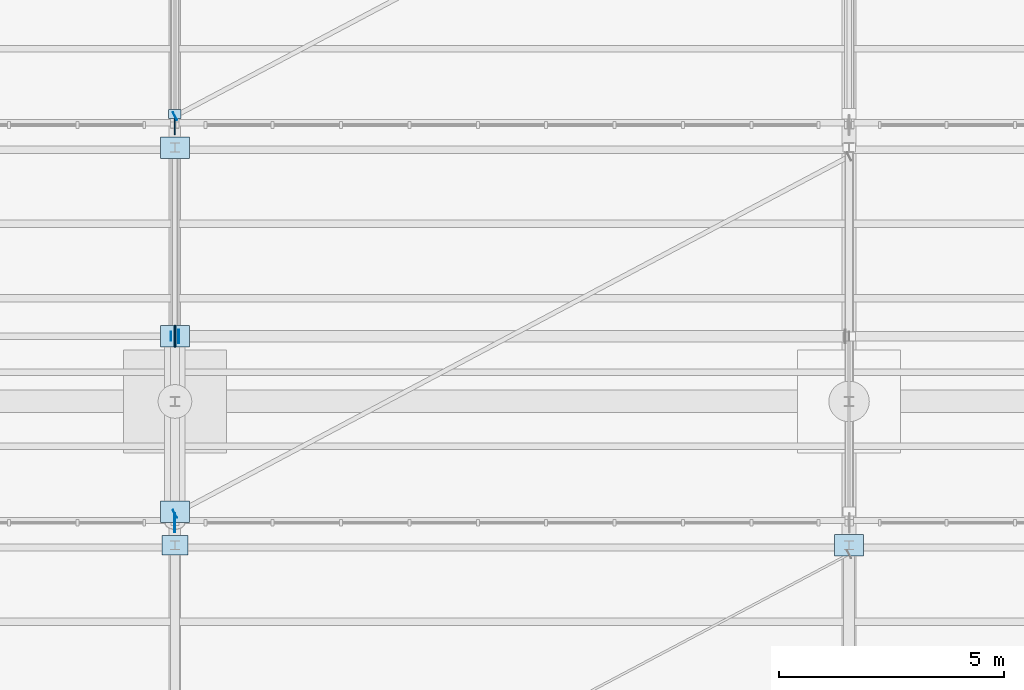
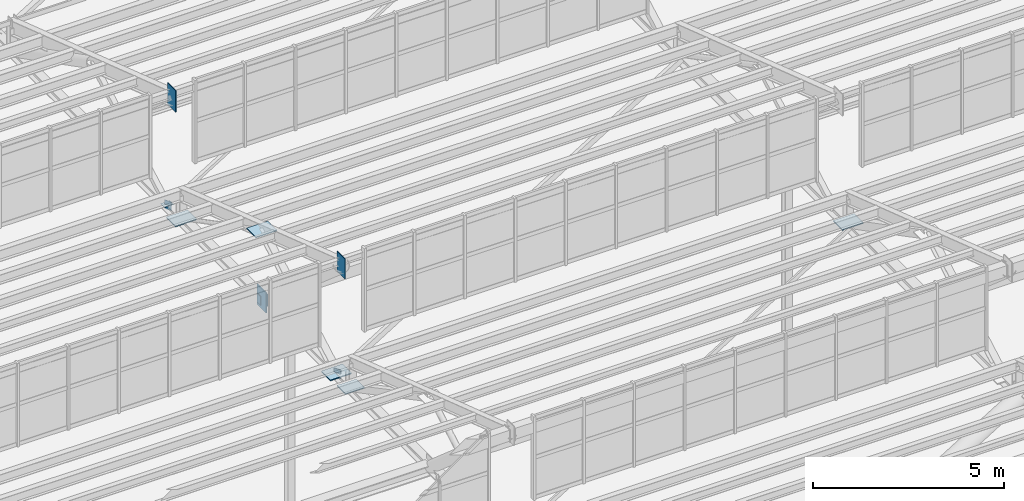
# One storey, part 200 of 285: 13 plates.
"""IFC4 building model written with IfcOpenShell, lengths in metres."""

from ifc_helpers import new_model, si_unit, direction, frame, origin, origin_2d, place, context, subcontext, project, spatial, rectangle, extrude, material, layer, layer_set, type_object, element, save


model = new_model("IFC4")

# Units and contexts
model_context = context("Model", 3, precision=1e-05, world=origin(), true_north=direction((0.0, 1.0)))
body_context = subcontext(model_context, "Body", "Model", "MODEL_VIEW")
ifc_project = project(units=[si_unit("LENGTHUNIT", "METRE"), si_unit("AREAUNIT", "SQUARE_METRE"), si_unit("VOLUMEUNIT", "CUBIC_METRE"), si_unit("PLANEANGLEUNIT", "RADIAN"), si_unit("MASSUNIT", "GRAM", prefix="KILO")], contexts=[model_context])

# Site, building, storey
site_placement = place(None, origin())
site = spatial("IfcSite", under=ifc_project, at=site_placement, CompositionType="ELEMENT")
building_placement = place(site_placement, origin())
building = spatial("IfcBuilding", under=site, at=building_placement, Name="Solanera Park Tramway Depot", CompositionType="ELEMENT")
storey_placement = place(building_placement, origin())
storey = spatial("IfcBuildingStorey", under=building, at=storey_placement, Name="L00", CompositionType="ELEMENT", Elevation=0.0)

# Plates
ifc_material_1 = material(Name="Steel AS/NZS 3679.1 Grade 350", Category="steel")
ifc_layer_1 = layer(ifc_material_1, 0.013916015625)
ifc_layer_set_1 = layer_set([ifc_layer_1], Name="Steel AS/NZS 3679.1 Grade 350")
plate_type_1 = type_object("IfcPlateType", Name="Hollow End Cap and Base Plate 280x200x14", PredefinedType="USERDEFINED", material=ifc_layer_set_1)
for number, where, z_axis, x_axis, name in (
    (1, (44.9150390625, 86.449951171875, 6.35986328125), (0.0, 0.0, 1.0), (1.0, 0.0, 0.0), "Hollow Section Welded End Cap Plate #0413"),
    (2, (44.999267578125, 82.49853515625, 6.35986328125), (0.0, 0.0, 1.0), (0.883520501477, 0.468392488698, 0.0), "Hollow Section Welded End Cap Plate #0416"),
):
    element("IfcPlate", number, at=place(storey_placement, frame(where, z_axis=z_axis, x_axis=x_axis)), inside=storey, type_object=plate_type_1, Name=name, ObjectType="BASE PLATE", PredefinedType="USERDEFINED", context=body_context, shape_type="SweptSolid", body=[
        extrude(rectangle(XDim=0.013916015625, YDim=0.199951171875, at=origin_2d()), origin(), (0.0, 0.0, 1.0), 0.280029296875),
    ])
plate_1_placement = place(storey_placement, frame((45.0, 91.39990234375, 6.4931640625), z_axis=(0.0, 0.0, 1.0), x_axis=(1.0, 0.0, 0.0)))
element("IfcPlate", 3, at=plate_1_placement, inside=storey, type_object=plate_type_1, Name="Sawtooth Truss Node Cap Plate #0445", ObjectType="BASE PLATE", PredefinedType="USERDEFINED", context=body_context, shape_type="SweptSolid", body=[
    extrude(rectangle(XDim=0.280029296875, YDim=0.199951171875, at=origin_2d()), origin(), (0.0, 0.0, 1.0), 0.013916015625),
])
plate_2_placement = place(storey_placement, frame((44.999267578125, 91.3486328125, 6.35986328125), z_axis=(0.0, 0.0, 1.0), x_axis=(0.883520501477, 0.468392488698, 0.0)))
element("IfcPlate", 4, at=plate_2_placement, inside=storey, type_object=plate_type_1, Name="Hollow Section Welded End Cap Plate #0507", ObjectType="BASE PLATE", PredefinedType="USERDEFINED", context=body_context, shape_type="SweptSolid", body=[
    extrude(rectangle(XDim=0.013916015625, YDim=0.199951171875, at=origin_2d()), origin(), (0.0, 0.0, 1.0), 0.280029296875),
])
ifc_material_2 = material(Name="Steel AS/NZS 3679.1 Grade 350", Category="steel")
ifc_layer_2 = layer(ifc_material_2, 0.02001953125)
ifc_layer_set_2 = layer_set([ifc_layer_2], Name="Steel AS/NZS 3679.1 Grade 350")
plate_type_2 = type_object("IfcPlateType", Name="Hollow End Cap and Base Plate 400x300x20", PredefinedType="USERDEFINED", material=ifc_layer_set_2)
plate_3_placement = place(storey_placement, frame((45.08203125, 86.449951171875, 6.300048828125), z_axis=(0.0, 0.0, 1.0), x_axis=(1.0, 0.0, 0.0)))
element("IfcPlate", 5, at=plate_3_placement, inside=storey, type_object=plate_type_2, Name="Hollow Section Welded End Cap Plate #0414", ObjectType="BASE PLATE", PredefinedType="USERDEFINED", context=body_context, shape_type="SweptSolid", body=[
    extrude(rectangle(XDim=0.02001953125, YDim=0.300048828125, at=origin_2d()), origin(), (0.0, 0.0, 1.0), 0.39990234375),
])
ifc_material_3 = material(Name="Steel AS/NZS 3679.1 Grade 350", Category="steel")
ifc_layer_3 = layer(ifc_material_3, 0.028076171875)
ifc_layer_set_3 = layer_set([ifc_layer_3], Name="Steel AS/NZS 3679.1 Grade 350")
plate_type_3 = type_object("IfcPlateType", Name="Hollow End Cap and Base Plate 580x440x28", PredefinedType="USERDEFINED", material=ifc_layer_set_3)
plate_4_placement = place(storey_placement, frame((45.0, 81.800048828125, 6.48583984375), z_axis=(0.0, 0.0, 1.0), x_axis=(1.0, 0.0, 0.0)))
element("IfcPlate", 6, at=plate_4_placement, inside=storey, type_object=plate_type_3, Name="Sawtooth Truss Node Cap Plate #0283", ObjectType="BASE PLATE", PredefinedType="USERDEFINED", context=body_context, shape_type="SweptSolid", body=[
    extrude(rectangle(XDim=0.580078125, YDim=0.43994140625, at=origin_2d()), origin(), (0.0, 0.0, 1.0), 0.028076171875),
])
ifc_material_4 = material(Name="Steel AS/NZS 3679.1 Grade 350", Category="steel")
ifc_layer_4 = layer(ifc_material_4, 0.031982421875)
ifc_layer_set_4 = layer_set([ifc_layer_4], Name="Steel AS/NZS 3679.1 Grade 350")
plate_type_4 = type_object("IfcPlateType", Name="Hollow End Cap and Base Plate 640x480x32", PredefinedType="USERDEFINED", material=ifc_layer_set_4)
plate_5_placement = place(storey_placement, frame((60.0, 81.800048828125, 6.48388671875), z_axis=(0.0, 0.0, 1.0), x_axis=(1.0, 0.0, 0.0)))
element("IfcPlate", 7, at=plate_5_placement, inside=storey, type_object=plate_type_4, Name="Sawtooth Truss Node Cap Plate #0288", ObjectType="BASE PLATE", PredefinedType="USERDEFINED", context=body_context, shape_type="SweptSolid", body=[
    extrude(rectangle(XDim=0.639892578125, YDim=0.47998046875, at=origin_2d()), origin(), (0.0, 0.0, 1.0), 0.031982421875),
])
plate_6_placement = place(storey_placement, frame((45.0, 86.449951171875, 6.18017578125), z_axis=(0.0, 0.0, 1.0), x_axis=(1.0, 0.0, 0.0)))
element("IfcPlate", 8, at=plate_6_placement, inside=storey, type_object=plate_type_4, Name="Sawtooth Truss Hollow End Cap #0371", ObjectType="BASE PLATE", PredefinedType="USERDEFINED", context=body_context, shape_type="SweptSolid", body=[
    extrude(rectangle(XDim=0.031982421875, YDim=0.47998046875, at=origin_2d()), origin(), (0.0, 0.0, 1.0), 0.639892578125),
])
for number, where, z_axis, x_axis, name in (
    (9, (45.0, 90.64990234375, 6.48388671875), (0.0, 0.0, 1.0), (1.0, 0.0, 0.0), "Sawtooth Truss Node Cap Plate #0372"),
    (10, (45.0, 86.449951171875, 8.67724609375), (0.0, 0.0, 1.0), (1.0, 0.0, 0.0), "Sawtooth Truss Node Cap Plate #0373"),
    (11, (45.0, 82.550048828125, 6.48388671875), (0.0, 0.0, 1.0), (1.0, 0.0, 0.0), "Sawtooth Truss Node Cap Plate #0374"),
):
    element("IfcPlate", number, at=place(storey_placement, frame(where, z_axis=z_axis, x_axis=x_axis)), inside=storey, type_object=plate_type_4, Name=name, ObjectType="BASE PLATE", PredefinedType="USERDEFINED", context=body_context, shape_type="SweptSolid", body=[
        extrude(rectangle(XDim=0.639892578125, YDim=0.47998046875, at=origin_2d()), origin(), (0.0, 0.0, 1.0), 0.031982421875),
    ])
ifc_material_5 = material(Name="Steel AS/NZS 3679.1 Grade 350", Category="steel")
ifc_layer_5 = layer(ifc_material_5, 0.02197265625)
ifc_layer_set_5 = layer_set([ifc_layer_5], Name="Steel AS/NZS 3679.1 Grade 350")
plate_type_5 = type_object("IfcPlateType", Name="Truss Node Gusset Stiffener 640x420x22", PredefinedType="SHEET", material=ifc_layer_set_5)
plate_7_placement = place(storey_placement, frame((45.0, 82.300048828125, 9.76171875), z_axis=(0.0, 0.0, 1.0), x_axis=(1.0, 0.0, 0.0)))
element("IfcPlate", 12, at=plate_7_placement, inside=storey, type_object=plate_type_5, Name="Sawtooth Truss Apex Gusset Plate #0370", PredefinedType="SHEET", context=body_context, shape_type="SweptSolid", body=[
    extrude(rectangle(XDim=0.02197265625, YDim=0.419921875, at=origin_2d()), origin(), (0.0, 0.0, 1.0), 0.639892578125),
])
ifc_material_6 = material(Name="Steel AS/NZS 3679.1 Grade 350", Category="steel")
ifc_layer_6 = layer(ifc_material_6, 0.02392578125)
ifc_layer_set_6 = layer_set([ifc_layer_6], Name="Steel AS/NZS 3679.1 Grade 350")
plate_type_6 = type_object("IfcPlateType", Name="Truss Node Gusset Stiffener 680x440x24", PredefinedType="SHEET", material=ifc_layer_set_6)
plate_8_placement = place(storey_placement, frame((45.0, 91.14990234375, 9.71630859375), z_axis=(0.0, 0.0, 1.0), x_axis=(1.0, 0.0, 0.0)))
element("IfcPlate", 13, at=plate_8_placement, inside=storey, type_object=plate_type_6, Name="Sawtooth Truss Apex Gusset Plate #0441", PredefinedType="SHEET", context=body_context, shape_type="SweptSolid", body=[
    extrude(rectangle(XDim=0.02392578125, YDim=0.43994140625, at=origin_2d()), origin(), (0.0, 0.0, 1.0), 0.679931640625),
])

save(model, "model.ifc")
